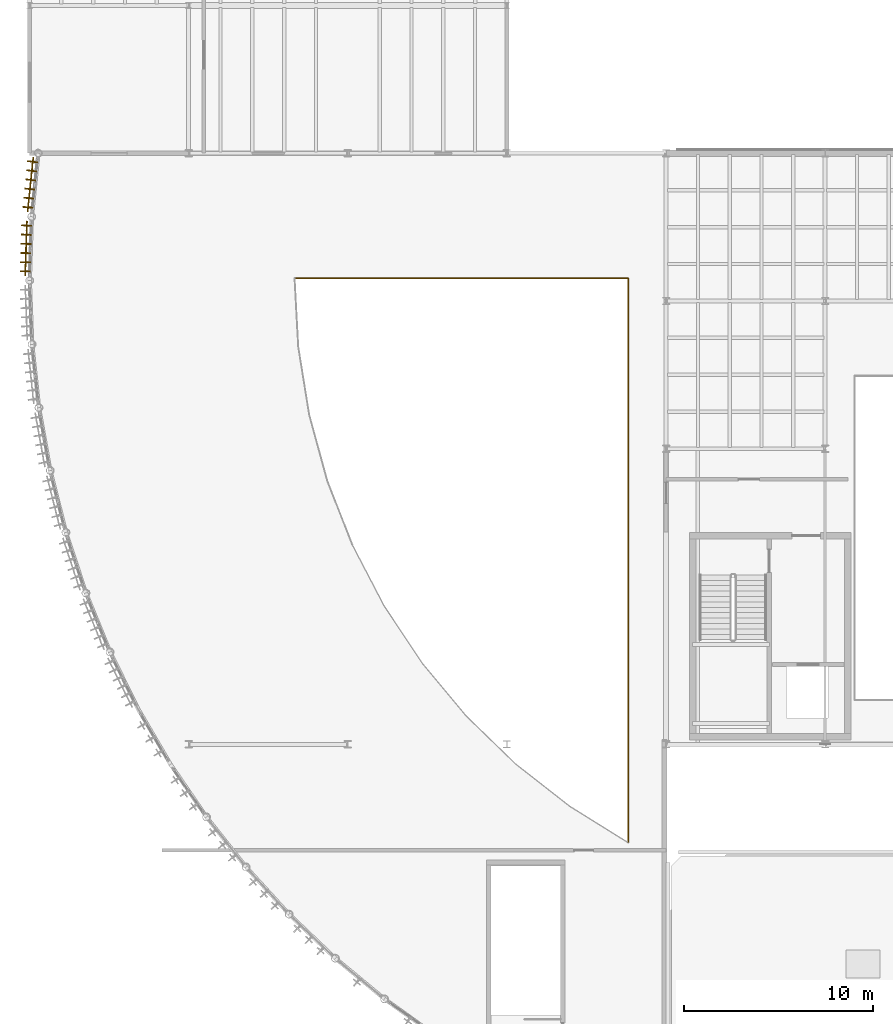
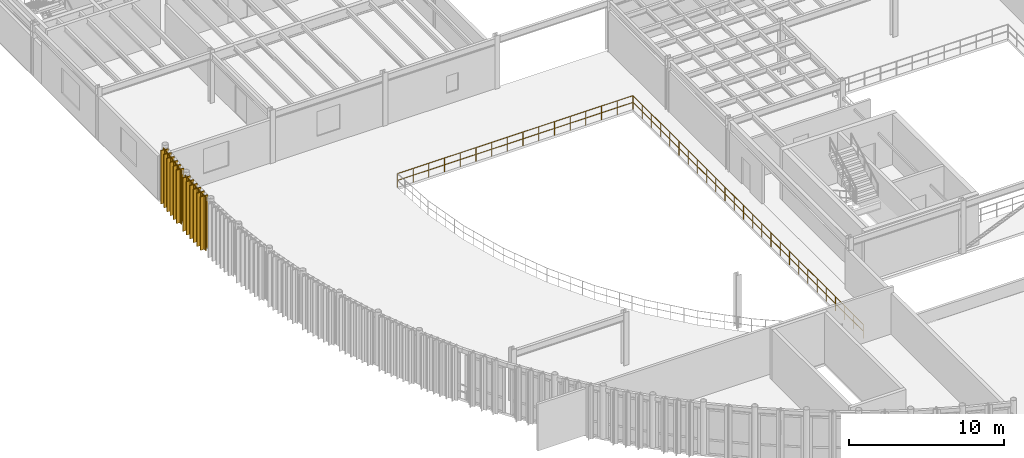
# One storey, part 50 of 54: 12 coverings, 12 shading devices, 2 railings.
"""IFC4 building model written with IfcOpenShell, lengths in metres."""

from ifc_helpers import new_model, si_unit, direction, frame, origin, origin_2d, place, context, subcontext, project, spatial, polyline, rectangle, circle, outline, extrude, material, layer, layer_set, material_profile, profile_set, type_object, element, save


model = new_model("IFC4")

# Units and contexts
model_context = context("Model", 3, precision=1e-05, world=origin(), true_north=direction((0.0, 1.0)))
body_context = subcontext(model_context, "Body", "Model", "MODEL_VIEW")
ifc_project = project(units=[si_unit("LENGTHUNIT", "METRE"), si_unit("AREAUNIT", "SQUARE_METRE"), si_unit("VOLUMEUNIT", "CUBIC_METRE"), si_unit("PLANEANGLEUNIT", "RADIAN"), si_unit("MASSUNIT", "GRAM", prefix="KILO")], contexts=[model_context])

# Site, building, storey
site_placement = place(None, origin())
site = spatial("IfcSite", under=ifc_project, at=site_placement, CompositionType="ELEMENT")
building_placement = place(site_placement, origin())
building = spatial("IfcBuilding", under=site, at=building_placement, Name="Selat Folded Stagehouse", CompositionType="ELEMENT")
storey_placement = place(building_placement, frame((0.0, 0.0, 15.0)))
storey = spatial("IfcBuildingStorey", under=building, at=storey_placement, Name="L03", CompositionType="ELEMENT", Elevation=15.0)

# Coverings
ifc_material_1 = material(Name="Bronze-anodised aluminium 6063-T6", Category="aluminium")
ifc_layer_1 = layer(ifc_material_1, 0.06005859375)
ifc_layer_set_1 = layer_set([ifc_layer_1], Name="Bronze-anodised aluminium 6063-T6")
covering_type = type_object("IfcCoveringType", Name="COV-FIN-BRZ42", PredefinedType="CLADDING", material=ifc_layer_set_1)
covering_1_placement = place(storey_placement, frame((0.0, 0.0, -0.10009765625)))
element("IfcCovering", 1, at=covering_1_placement, inside=storey, type_object=covering_type, Name="L03 drum bronze fin cladding sheath 003", PredefinedType="CLADDING", context=body_context, shape_type="SweptSolid", body=[
    extrude(outline(polyline([(0.430419921875, 54.150390625), (-0.105224609375, 54.21923828125), (-0.11328125, 54.156005859375), (0.42236328125, 54.0869140625), (0.430419921875, 54.150390625)])), origin(), (0.0, 0.0, 1.0), 4.22021484375),
])
covering_2_placement = place(storey_placement, frame((0.0, 0.0, -0.10009765625)))
element("IfcCovering", 2, at=covering_2_placement, inside=storey, type_object=covering_type, Name="L03 drum bronze fin cladding sheath 008", PredefinedType="CLADDING", context=body_context, shape_type="SweptSolid", body=[
    extrude(outline(polyline([(0.380615234375, 53.671875), (-0.155517578125, 53.735595703125), (-0.1630859375, 53.671875), (0.373291015625, 53.6083984375), (0.380615234375, 53.671875)])), origin(), (0.0, 0.0, 1.0), 4.22021484375),
])
covering_3_placement = place(storey_placement, frame((0.0, 0.0, -0.10009765625)))
element("IfcCovering", 3, at=covering_3_placement, inside=storey, type_object=covering_type, Name="L03 drum bronze fin cladding sheath 013", PredefinedType="CLADDING", context=body_context, shape_type="SweptSolid", body=[
    extrude(outline(polyline([(0.3310546875, 53.193359375), (-0.205810546875, 53.251708984375), (-0.212646484375, 53.18798828125), (0.32421875, 53.1298828125), (0.3310546875, 53.193359375)])), origin(), (0.0, 0.0, 1.0), 4.22021484375),
])
covering_4_placement = place(storey_placement, frame((0.0, 0.0, -0.10009765625)))
element("IfcCovering", 4, at=covering_4_placement, inside=storey, type_object=covering_type, Name="L03 drum bronze fin cladding sheath 018", PredefinedType="CLADDING", context=body_context, shape_type="SweptSolid", body=[
    extrude(outline(polyline([(0.28125, 52.71484375), (-0.256103515625, 52.767578125), (-0.26220703125, 52.7041015625), (0.275146484375, 52.651123046875), (0.28125, 52.71484375)])), origin(), (0.0, 0.0, 1.0), 4.22021484375),
])
covering_5_placement = place(storey_placement, frame((0.0, 0.0, -0.10009765625)))
element("IfcCovering", 5, at=covering_5_placement, inside=storey, type_object=covering_type, Name="L03 drum bronze fin cladding sheath 023", PredefinedType="CLADDING", context=body_context, shape_type="SweptSolid", body=[
    extrude(outline(polyline([(0.231689453125, 52.236328125), (-0.306396484375, 52.28369140625), (-0.31201171875, 52.219970703125), (0.22607421875, 52.172607421875), (0.231689453125, 52.236328125)])), origin(), (0.0, 0.0, 1.0), 4.22021484375),
])
covering_6_placement = place(storey_placement, frame((0.0, 0.0, -0.10009765625)))
element("IfcCovering", 6, at=covering_6_placement, inside=storey, type_object=covering_type, Name="L03 drum bronze fin cladding sheath 028", PredefinedType="CLADDING", context=body_context, shape_type="SweptSolid", body=[
    extrude(outline(polyline([(0.181884765625, 51.7578125), (-0.3564453125, 51.7998046875), (-0.361328125, 51.736083984375), (0.177001953125, 51.694091796875), (0.181884765625, 51.7578125)])), origin(), (0.0, 0.0, 1.0), 4.22021484375),
])
covering_7_placement = place(storey_placement, frame((0.0, 0.0, -0.10009765625)))
element("IfcCovering", 7, at=covering_7_placement, inside=storey, type_object=covering_type, Name="L03 drum bronze fin cladding sheath 034", PredefinedType="CLADDING", context=body_context, shape_type="SweptSolid", body=[
    extrude(outline(polyline([(0.1162109375, 50.798583984375), (-0.4228515625, 50.82958984375), (-0.426513671875, 50.765869140625), (0.112548828125, 50.734619140625), (0.1162109375, 50.798583984375)])), origin(), (0.0, 0.0, 1.0), 4.22021484375),
])
covering_8_placement = place(storey_placement, frame((0.0, 0.0, -0.10009765625)))
element("IfcCovering", 8, at=covering_8_placement, inside=storey, type_object=covering_type, Name="L03 drum bronze fin cladding sheath 040", PredefinedType="CLADDING", context=body_context, shape_type="SweptSolid", body=[
    extrude(outline(polyline([(0.10009765625, 50.31787109375), (-0.439208984375, 50.343505859375), (-0.4423828125, 50.279541015625), (0.09716796875, 50.25390625), (0.10009765625, 50.31787109375)])), origin(), (0.0, 0.0, 1.0), 4.22021484375),
])
covering_9_placement = place(storey_placement, frame((0.0, 0.0, -0.10009765625)))
element("IfcCovering", 9, at=covering_9_placement, inside=storey, type_object=covering_type, Name="L03 drum bronze fin cladding sheath 046", PredefinedType="CLADDING", context=body_context, shape_type="SweptSolid", body=[
    extrude(outline(polyline([(0.083984375, 49.8369140625), (-0.45556640625, 49.857421875), (-0.4580078125, 49.793212890625), (0.081787109375, 49.77294921875), (0.083984375, 49.8369140625)])), origin(), (0.0, 0.0, 1.0), 4.22021484375),
])
covering_10_placement = place(storey_placement, frame((0.0, 0.0, -0.10009765625)))
element("IfcCovering", 10, at=covering_10_placement, inside=storey, type_object=covering_type, Name="L03 drum bronze fin cladding sheath 052", PredefinedType="CLADDING", context=body_context, shape_type="SweptSolid", body=[
    extrude(outline(polyline([(0.068115234375, 49.356201171875), (-0.4716796875, 49.37109375), (-0.473388671875, 49.30712890625), (0.06640625, 49.2919921875), (0.068115234375, 49.356201171875)])), origin(), (0.0, 0.0, 1.0), 4.22021484375),
])
covering_11_placement = place(storey_placement, frame((0.0, 0.0, -0.10009765625)))
element("IfcCovering", 11, at=covering_11_placement, inside=storey, type_object=covering_type, Name="L03 drum bronze fin cladding sheath 058", PredefinedType="CLADDING", context=body_context, shape_type="SweptSolid", body=[
    extrude(outline(polyline([(0.052001953125, 48.875244140625), (-0.48779296875, 48.884765625), (-0.489013671875, 48.82080078125), (0.051025390625, 48.811279296875), (0.052001953125, 48.875244140625)])), origin(), (0.0, 0.0, 1.0), 4.22021484375),
])
covering_12_placement = place(storey_placement, frame((0.0, 0.0, -0.10009765625)))
element("IfcCovering", 12, at=covering_12_placement, inside=storey, type_object=covering_type, Name="L03 drum bronze fin cladding sheath 064", PredefinedType="CLADDING", context=body_context, shape_type="SweptSolid", body=[
    extrude(outline(polyline([(0.0361328125, 48.39453125), (-0.50390625, 48.398681640625), (-0.50439453125, 48.334716796875), (0.03564453125, 48.33056640625), (0.0361328125, 48.39453125)])), origin(), (0.0, 0.0, 1.0), 4.22021484375),
])

# Railings
ifc_material_2 = material(Name="Bronze-anodised steel balustrade", Category="steel")
ifc_layer_2 = layer(ifc_material_2, 0.06494140625)
ifc_layer_set_2 = layer_set([ifc_layer_2], Name="Bronze-anodised steel balustrade")
railing_type = type_object("IfcRailingType", Name="RLG-BAL-1120", PredefinedType="BALUSTRADE", material=ifc_layer_set_2)
railing_1_placement = place(storey_placement, frame((31.60009765625, 48.0, 0.0)))
element("IfcRailing", 13, at=railing_1_placement, inside=storey, type_object=railing_type, Name="L03 protective guard railing 098", PredefinedType="BALUSTRADE", context=body_context, shape_type="SweptSolid", body=[
    extrude(circle(Radius=0.02392578125, at=origin_2d()), frame((0.0, 0.0, 1.09619140625), z_axis=(0.0, -1.0, 0.0), x_axis=(1.0, 0.0, 0.0)), (0.0, 0.0, 1.0), 29.783203125),
    extrude(circle(Radius=0.02392578125, at=origin_2d()), frame((0.0, 0.0, 0.56005859375), z_axis=(0.0, -1.0, 0.0), x_axis=(1.0, 0.0, 0.0)), (0.0, 0.0, 1.0), 29.783203125),
    extrude(circle(Radius=0.02099609375, at=origin_2d()), origin(), (0.0, 0.0, 1.0), 1.072021484375),
    extrude(circle(Radius=0.02099609375, at=origin_2d()), frame((0.0, -1.19140625, 0.0)), (0.0, 0.0, 1.0), 1.072021484375),
    extrude(circle(Radius=0.02099609375, at=origin_2d()), frame((0.0, -2.382568359375, 0.0)), (0.0, 0.0, 1.0), 1.072021484375),
    extrude(circle(Radius=0.02099609375, at=origin_2d()), frame((0.0, -3.573974609375, 0.0)), (0.0, 0.0, 1.0), 1.072021484375),
    extrude(circle(Radius=0.02099609375, at=origin_2d()), frame((0.0, -4.765380859375, 0.0)), (0.0, 0.0, 1.0), 1.072021484375),
    extrude(circle(Radius=0.02099609375, at=origin_2d()), frame((0.0, -5.95654296875, 0.0)), (0.0, 0.0, 1.0), 1.072021484375),
    extrude(circle(Radius=0.02099609375, at=origin_2d()), frame((0.0, -7.14794921875, 0.0)), (0.0, 0.0, 1.0), 1.072021484375),
    extrude(circle(Radius=0.02099609375, at=origin_2d()), frame((0.0, -8.33935546875, 0.0)), (0.0, 0.0, 1.0), 1.072021484375),
    extrude(circle(Radius=0.02099609375, at=origin_2d()), frame((0.0, -9.530517578125, 0.0)), (0.0, 0.0, 1.0), 1.072021484375),
    extrude(circle(Radius=0.02099609375, at=origin_2d()), frame((0.0, -10.721923828125, 0.0)), (0.0, 0.0, 1.0), 1.072021484375),
    extrude(circle(Radius=0.02099609375, at=origin_2d()), frame((0.0, -11.913330078125, 0.0)), (0.0, 0.0, 1.0), 1.072021484375),
    extrude(circle(Radius=0.02099609375, at=origin_2d()), frame((0.0, -13.1044921875, 0.0)), (0.0, 0.0, 1.0), 1.072021484375),
    extrude(circle(Radius=0.02099609375, at=origin_2d()), frame((0.0, -14.2958984375, 0.0)), (0.0, 0.0, 1.0), 1.072021484375),
    extrude(circle(Radius=0.02099609375, at=origin_2d()), frame((0.0, -15.4873046875, 0.0)), (0.0, 0.0, 1.0), 1.072021484375),
    extrude(circle(Radius=0.02099609375, at=origin_2d()), frame((0.0, -16.6787109375, 0.0)), (0.0, 0.0, 1.0), 1.072021484375),
    extrude(circle(Radius=0.02099609375, at=origin_2d()), frame((0.0, -17.869873046875, 0.0)), (0.0, 0.0, 1.0), 1.072021484375),
    extrude(circle(Radius=0.02099609375, at=origin_2d()), frame((0.0, -19.061279296875, 0.0)), (0.0, 0.0, 1.0), 1.072021484375),
    extrude(circle(Radius=0.02099609375, at=origin_2d()), frame((0.0, -20.252685546875, 0.0)), (0.0, 0.0, 1.0), 1.072021484375),
    extrude(circle(Radius=0.02099609375, at=origin_2d()), frame((0.0, -21.44384765625, 0.0)), (0.0, 0.0, 1.0), 1.072021484375),
    extrude(circle(Radius=0.02099609375, at=origin_2d()), frame((0.0, -22.63525390625, 0.0)), (0.0, 0.0, 1.0), 1.072021484375),
    extrude(circle(Radius=0.02099609375, at=origin_2d()), frame((0.0, -23.82666015625, 0.0)), (0.0, 0.0, 1.0), 1.072021484375),
    extrude(circle(Radius=0.02099609375, at=origin_2d()), frame((0.0, -25.017822265625, 0.0)), (0.0, 0.0, 1.0), 1.072021484375),
    extrude(circle(Radius=0.02099609375, at=origin_2d()), frame((0.0, -26.209228515625, 0.0)), (0.0, 0.0, 1.0), 1.072021484375),
    extrude(circle(Radius=0.02099609375, at=origin_2d()), frame((0.0, -27.400634765625, 0.0)), (0.0, 0.0, 1.0), 1.072021484375),
    extrude(circle(Radius=0.02099609375, at=origin_2d()), frame((0.0, -28.591796875, 0.0)), (0.0, 0.0, 1.0), 1.072021484375),
    extrude(circle(Radius=0.02099609375, at=origin_2d()), frame((0.0, -29.783203125, 0.0)), (0.0, 0.0, 1.0), 1.072021484375),
])
railing_2_placement = place(storey_placement, frame((14.0, 48.0, 0.0)))
element("IfcRailing", 14, at=railing_2_placement, inside=storey, type_object=railing_type, Name="L03 protective guard railing 109", PredefinedType="BALUSTRADE", context=body_context, shape_type="SweptSolid", body=[
    extrude(circle(Radius=0.02392578125, at=origin_2d()), frame((0.0, 0.0, 1.09619140625), z_axis=(1.0, 0.0, 0.0), x_axis=(0.0, 1.0, 0.0)), (0.0, 0.0, 1.0), 17.60009765625),
    extrude(circle(Radius=0.02392578125, at=origin_2d()), frame((0.0, 0.0, 0.56005859375), z_axis=(1.0, 0.0, 0.0), x_axis=(0.0, 1.0, 0.0)), (0.0, 0.0, 1.0), 17.60009765625),
    extrude(circle(Radius=0.02099609375, at=origin_2d()), origin(), (0.0, 0.0, 1.0), 1.072021484375),
    extrude(circle(Radius=0.02099609375, at=origin_2d()), frame((1.17333984375, 0.0, 0.0)), (0.0, 0.0, 1.0), 1.072021484375),
    extrude(circle(Radius=0.02099609375, at=origin_2d()), frame((2.3466796875, 0.0, 0.0)), (0.0, 0.0, 1.0), 1.072021484375),
    extrude(circle(Radius=0.02099609375, at=origin_2d()), frame((3.52001953125, 0.0, 0.0)), (0.0, 0.0, 1.0), 1.072021484375),
    extrude(circle(Radius=0.02099609375, at=origin_2d()), frame((4.693359375, 0.0, 0.0)), (0.0, 0.0, 1.0), 1.072021484375),
    extrude(circle(Radius=0.02099609375, at=origin_2d()), frame((5.86669921875, 0.0, 0.0)), (0.0, 0.0, 1.0), 1.072021484375),
    extrude(circle(Radius=0.02099609375, at=origin_2d()), frame((7.0400390625, 0.0, 0.0)), (0.0, 0.0, 1.0), 1.072021484375),
    extrude(circle(Radius=0.02099609375, at=origin_2d()), frame((8.21337890625, 0.0, 0.0)), (0.0, 0.0, 1.0), 1.072021484375),
    extrude(circle(Radius=0.02099609375, at=origin_2d()), frame((9.38671875, 0.0, 0.0)), (0.0, 0.0, 1.0), 1.072021484375),
    extrude(circle(Radius=0.02099609375, at=origin_2d()), frame((10.56005859375, 0.0, 0.0)), (0.0, 0.0, 1.0), 1.072021484375),
    extrude(circle(Radius=0.02099609375, at=origin_2d()), frame((11.7333984375, 0.0, 0.0)), (0.0, 0.0, 1.0), 1.072021484375),
    extrude(circle(Radius=0.02099609375, at=origin_2d()), frame((12.90673828125, 0.0, 0.0)), (0.0, 0.0, 1.0), 1.072021484375),
    extrude(circle(Radius=0.02099609375, at=origin_2d()), frame((14.080078125, 0.0, 0.0)), (0.0, 0.0, 1.0), 1.072021484375),
    extrude(circle(Radius=0.02099609375, at=origin_2d()), frame((15.25341796875, 0.0, 0.0)), (0.0, 0.0, 1.0), 1.072021484375),
    extrude(circle(Radius=0.02099609375, at=origin_2d()), frame((16.4267578125, 0.0, 0.0)), (0.0, 0.0, 1.0), 1.072021484375),
    extrude(circle(Radius=0.02099609375, at=origin_2d()), frame((17.60009765625, 0.0, 0.0)), (0.0, 0.0, 1.0), 1.072021484375),
])

# Shading devices
ifc_material_profile = material_profile(ifc_material_1, rectangle(XDim=0.06005859375, YDim=0.47998046875, at=origin_2d()), Name="SOLAR-FIN 480x60")
ifc_profile_set = profile_set([ifc_material_profile], Name="Bronze-anodised aluminium 6063-T6")
shading_device_type = type_object("IfcShadingDeviceType", Name="SHD-FIN-480x60", PredefinedType="USERDEFINED", material=ifc_profile_set)
for number, where, z_axis, x_axis, name in (
    (15, (0.16845703125, 54.15185546875, -0.10009765625), (0.0, 0.0, 1.0), (-0.991827775753, 0.127583945876, 0.0), "L03 drum vertical bronze solar fin 003"),
    (16, (0.118896484375, 53.670654296875, -0.10009765625), (0.0, 0.0, 1.0), (-0.993068456955, 0.117537397458, 0.0), "L03 drum vertical bronze solar fin 008"),
    (17, (0.069091796875, 53.189697265625, -0.10009765625), (0.0, 0.0, 1.0), (-0.994188602291, 0.107652324982, 0.0), "L03 drum vertical bronze solar fin 013"),
    (18, (0.019287109375, 52.70849609375, -0.10009765625), (0.0, 0.0, 1.0), (-0.995227399982, 0.097582899759, 0.0), "L03 drum vertical bronze solar fin 018"),
    (19, (-0.0302734375, 52.227294921875, -0.10009765625), (0.0, 0.0, 1.0), (-0.996148926897, 0.087677337101, 0.0), "L03 drum vertical bronze solar fin 023"),
    (20, (-0.079833984375, 51.74609375, -0.10009765625), (0.0, 0.0, 1.0), (-0.996971865568, 0.077763097071, 0.0), "L03 drum vertical bronze solar fin 028"),
    (21, (-0.145263671875, 50.781494140625, -0.10009765625), (0.0, 0.0, 1.0), (-0.99833175459, 0.0577382696, 0.0), "L03 drum vertical bronze solar fin 034"),
    (22, (-0.1611328125, 50.298095703125, -0.10009765625), (0.0, 0.0, 1.0), (-0.998865073158, 0.047629461744, 0.0), "L03 drum vertical bronze solar fin 040"),
    (23, (-0.177001953125, 49.814697265625, -0.10009765625), (0.0, 0.0, 1.0), (-0.999289472641, 0.03769018267, 0.0), "L03 drum vertical bronze solar fin 046"),
    (24, (-0.192626953125, 49.331298828125, -0.10009765625), (0.0, 0.0, 1.0), (-0.999619800631, 0.027572707275, 0.0), "L03 drum vertical bronze solar fin 052"),
    (25, (-0.20849609375, 48.847900390625, -0.10009765625), (0.0, 0.0, 1.0), (-0.999844633908, 0.017626912514, 0.0), "L03 drum vertical bronze solar fin 058"),
    (26, (-0.22412109375, 48.364501953125, -0.10009765625), (0.0, 0.0, 1.0), (-0.999971838252, 0.007504845333, 0.0), "L03 drum vertical bronze solar fin 064"),
):
    element("IfcShadingDevice", number, at=place(storey_placement, frame(where, z_axis=z_axis, x_axis=x_axis)), inside=storey, type_object=shading_device_type, Name=name, ObjectType="FIN", PredefinedType="USERDEFINED", context=body_context, shape_type="SweptSolid", body=[
        extrude(rectangle(XDim=0.06005859375, YDim=0.47998046875, at=origin_2d()), origin(), (0.0, 0.0, 1.0), 4.22021484375),
    ])

save(model, "model.ifc")
